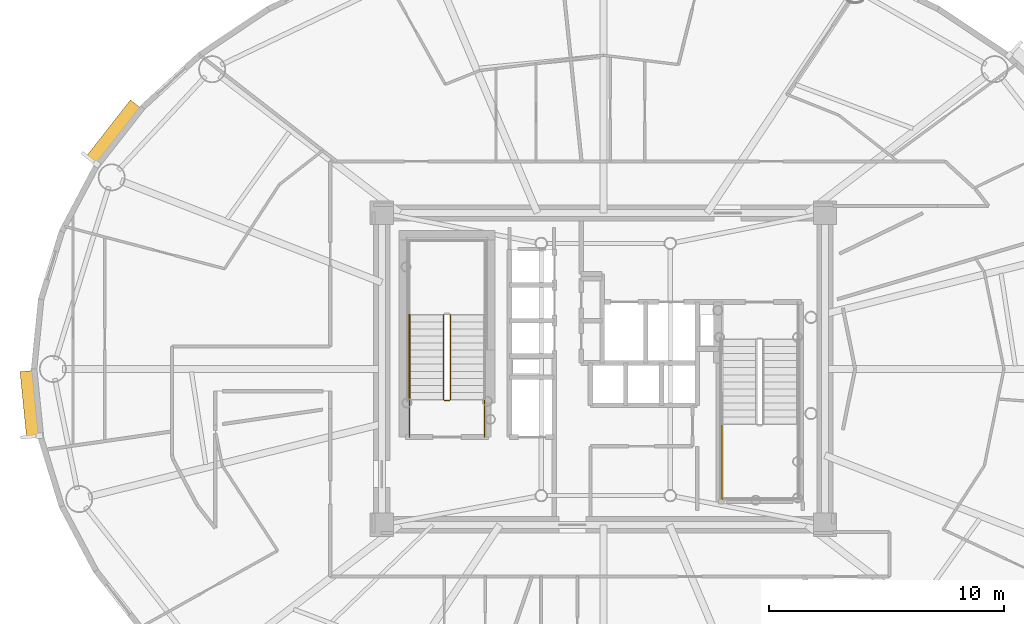
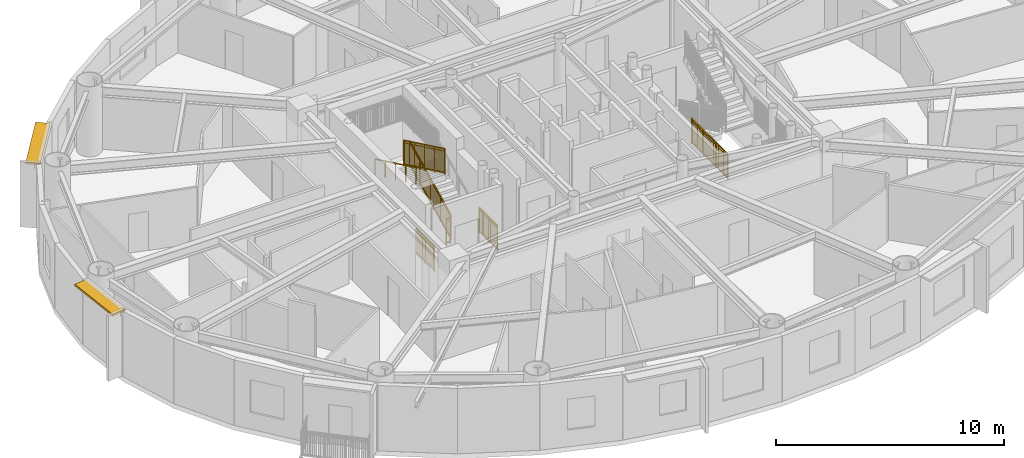
# One storey, part 13 of 18: 7 railings, 2 shading devices.
"""IFC4 building model written with IfcOpenShell, lengths in metres."""

from ifc_helpers import new_model, si_unit, direction, frame, origin, origin_2d, place, context, subcontext, project, spatial, rectangle, extrude, source, transform, mapped, material, layer, layer_set, type_object, element, save


model = new_model("IFC4")

# Units and contexts
model_context = context("Model", 3, precision=1e-05, world=origin(), true_north=direction((0.0, 1.0)))
body_context = subcontext(model_context, "Body", "Model", "MODEL_VIEW")
ifc_project = project(units=[si_unit("LENGTHUNIT", "METRE"), si_unit("AREAUNIT", "SQUARE_METRE"), si_unit("VOLUMEUNIT", "CUBIC_METRE"), si_unit("PLANEANGLEUNIT", "RADIAN"), si_unit("MASSUNIT", "GRAM", prefix="KILO")], contexts=[model_context])

# Site, building, storey
site_placement = place(None, origin())
site = spatial("IfcSite", under=ifc_project, at=site_placement, CompositionType="ELEMENT")
building_placement = place(site_placement, origin())
building = spatial("IfcBuilding", under=site, at=building_placement, Name="Linh Dai School and Residence Tower", CompositionType="ELEMENT")
storey_placement = place(building_placement, frame((0.0, 0.0, 240.300048828125)))
storey = spatial("IfcBuildingStorey", under=building, at=storey_placement, Name="L59", CompositionType="ELEMENT", Elevation=240.300048828125)

# Shading devices
ifc_material_1 = material(Name="Terracotta Ceramic Sunshade", Category="masonry")
ifc_layer = layer(ifc_material_1, 0.10009765625)
ifc_layer_set = layer_set([ifc_layer], Name="Terracotta Ceramic Sunshade")
shading_device_type = type_object("IfcShadingDeviceType", Name="SHD-TC-650", PredefinedType="USERDEFINED", material=ifc_layer_set)
shared_shape_1 = source(origin(), body_context, "Body", "SweptSolid", [
    extrude(rectangle(XDim=2.859619140625, YDim=0.64990234375, at=origin_2d()), origin(), (0.0, 0.0, 1.0), 0.10009765625),
])
shading_device_1_placement = place(storey_placement, frame((11.59033203125, 25.489501953125, 3.3798828125), z_axis=(0.0, 0.0, 1.0), x_axis=(-0.100012244219, 0.99498620644, 0.0)))
element("IfcShadingDevice", 1, at=shading_device_1_placement, inside=storey, type_object=shading_device_type, Name="L59 Terracotta Horizontal Sunshade Band 21", ObjectType="SUNSHADE", PredefinedType="USERDEFINED", context=body_context, shape_type="MappedRepresentation", body=[
    mapped(shared_shape_1, transform((0.0, 0.0, 0.0), x_axis=(1.0, 0.0, 0.0), y_axis=(0.0, 1.0, 0.0), z_axis=(0.0, 0.0, 1.0), scale=1.0)),
])
shared_shape_2 = source(origin(), body_context, "Body", "SweptSolid", [
    extrude(rectangle(XDim=3.095703125, YDim=0.64990234375, at=origin_2d()), origin(), (0.0, 0.0, 1.0), 0.10009765625),
])
shading_device_2_placement = place(storey_placement, frame((15.133544921875, 37.050537109375, 3.3798828125), z_axis=(0.0, 0.0, 1.0), x_axis=(0.616331674867, 0.787486677066, 0.0)))
element("IfcShadingDevice", 2, at=shading_device_2_placement, inside=storey, type_object=shading_device_type, Name="L59 Terracotta Horizontal Sunshade Band 17", ObjectType="SUNSHADE", PredefinedType="USERDEFINED", context=body_context, shape_type="MappedRepresentation", body=[
    mapped(shared_shape_2, transform((0.0, 0.0, 0.0), x_axis=(1.0, 0.0, 0.0), y_axis=(0.0, 1.0, 0.0), z_axis=(0.0, 0.0, 1.0), scale=1.0)),
])

# Railings
ifc_material_2 = material(Name="Structural Steel S355JR", Category="steel")
railing_type_1 = type_object("IfcRailingType", Name="RL-ST-GUARD-1400", PredefinedType="GUARDRAIL", material=ifc_material_2)
shared_shape_3 = source(origin(), body_context, "Body", "SweptSolid", [
    extrude(rectangle(XDim=0.048095703125, YDim=0.048095703125, at=origin_2d()), frame((0.0, 0.0, 1.3759765625), z_axis=(-1.0, 0.0, 0.0), x_axis=(0.0, -1.0, 0.0)), (0.0, 0.0, 1.0), 0.199951171875),
    extrude(rectangle(XDim=0.048095703125, YDim=0.048095703125, at=origin_2d()), frame((0.0, 0.0, 0.10009765625), z_axis=(-1.0, 0.0, 0.0), x_axis=(0.0, -1.0, 0.0)), (0.0, 0.0, 1.0), 0.199951171875),
    extrude(rectangle(XDim=0.030029296875, YDim=0.030029296875, at=origin_2d()), frame((0.0, 0.0, 1.239990234375), z_axis=(-1.0, 0.0, 0.0), x_axis=(0.0, -1.0, 0.0)), (0.0, 0.0, 1.0), 0.199951171875),
    extrude(rectangle(XDim=0.0419921875, YDim=0.0419921875, at=origin_2d()), origin(), (0.0, 0.0, 1.0), 1.3759765625),
    extrude(rectangle(XDim=0.0419921875, YDim=0.0419921875, at=origin_2d()), frame((-0.199951171875, 0.0, 0.0)), (0.0, 0.0, 1.0), 1.3759765625),
])
railing_1_placement = place(storey_placement, frame((29.429931640625, 25.64990234375, 0.0)))
element("IfcRailing", 3, at=railing_1_placement, inside=storey, type_object=railing_type_1, Name="L59 ST1 stair guard 7", PredefinedType="GUARDRAIL", context=body_context, shape_type="MappedRepresentation", body=[
    mapped(shared_shape_3, transform((0.0, 0.0, 0.0), x_axis=(1.0, 0.0, 0.0), y_axis=(0.0, 1.0, 0.0), z_axis=(0.0, 0.0, 1.0), scale=1.0)),
])
shared_shape_4 = source(origin(), body_context, "Body", "SweptSolid", [
    extrude(rectangle(XDim=0.048095703125, YDim=0.048095703125, at=origin_2d()), frame((0.0, 0.0, 1.3759765625), z_axis=(0.0, 1.0, 0.0), x_axis=(-1.0, 0.0, 0.0)), (0.0, 0.0, 1.0), 1.599853515625),
    extrude(rectangle(XDim=0.048095703125, YDim=0.048095703125, at=origin_2d()), frame((0.0, 0.0, 0.10009765625), z_axis=(0.0, 1.0, 0.0), x_axis=(-1.0, 0.0, 0.0)), (0.0, 0.0, 1.0), 1.599853515625),
    extrude(rectangle(XDim=0.030029296875, YDim=0.030029296875, at=origin_2d()), frame((0.0, 0.0, 1.239990234375), z_axis=(0.0, 1.0, 0.0), x_axis=(-1.0, 0.0, 0.0)), (0.0, 0.0, 1.0), 1.599853515625),
    extrude(rectangle(XDim=0.02001953125, YDim=0.02001953125, at=origin_2d()), frame((0.0, 0.093994140625, 0.10009765625)), (0.0, 0.0, 1.0), 1.251708984375),
    extrude(rectangle(XDim=0.02001953125, YDim=0.02001953125, at=origin_2d()), frame((0.0, 0.188232421875, 0.10009765625)), (0.0, 0.0, 1.0), 1.251708984375),
    extrude(rectangle(XDim=0.02001953125, YDim=0.02001953125, at=origin_2d()), frame((0.0, 0.2822265625, 0.10009765625)), (0.0, 0.0, 1.0), 1.251708984375),
    extrude(rectangle(XDim=0.02001953125, YDim=0.02001953125, at=origin_2d()), frame((0.0, 0.37646484375, 0.10009765625)), (0.0, 0.0, 1.0), 1.251708984375),
    extrude(rectangle(XDim=0.02001953125, YDim=0.02001953125, at=origin_2d()), frame((0.0, 0.470458984375, 0.10009765625)), (0.0, 0.0, 1.0), 1.251708984375),
    extrude(rectangle(XDim=0.02001953125, YDim=0.02001953125, at=origin_2d()), frame((0.0, 0.564697265625, 0.10009765625)), (0.0, 0.0, 1.0), 1.251708984375),
    extrude(rectangle(XDim=0.02001953125, YDim=0.02001953125, at=origin_2d()), frame((0.0, 0.65869140625, 0.10009765625)), (0.0, 0.0, 1.0), 1.251708984375),
    extrude(rectangle(XDim=0.02001953125, YDim=0.02001953125, at=origin_2d()), frame((0.0, 0.7529296875, 0.10009765625)), (0.0, 0.0, 1.0), 1.251708984375),
    extrude(rectangle(XDim=0.02001953125, YDim=0.02001953125, at=origin_2d()), frame((0.0, 0.846923828125, 0.10009765625)), (0.0, 0.0, 1.0), 1.251708984375),
    extrude(rectangle(XDim=0.02001953125, YDim=0.02001953125, at=origin_2d()), frame((0.0, 0.941162109375, 0.10009765625)), (0.0, 0.0, 1.0), 1.251708984375),
    extrude(rectangle(XDim=0.02001953125, YDim=0.02001953125, at=origin_2d()), frame((0.0, 1.03515625, 0.10009765625)), (0.0, 0.0, 1.0), 1.251708984375),
    extrude(rectangle(XDim=0.02001953125, YDim=0.02001953125, at=origin_2d()), frame((0.0, 1.12939453125, 0.10009765625)), (0.0, 0.0, 1.0), 1.251708984375),
    extrude(rectangle(XDim=0.02001953125, YDim=0.02001953125, at=origin_2d()), frame((0.0, 1.223388671875, 0.10009765625)), (0.0, 0.0, 1.0), 1.251708984375),
    extrude(rectangle(XDim=0.02001953125, YDim=0.02001953125, at=origin_2d()), frame((0.0, 1.317626953125, 0.10009765625)), (0.0, 0.0, 1.0), 1.251708984375),
    extrude(rectangle(XDim=0.02001953125, YDim=0.02001953125, at=origin_2d()), frame((0.0, 1.41162109375, 0.10009765625)), (0.0, 0.0, 1.0), 1.251708984375),
    extrude(rectangle(XDim=0.02001953125, YDim=0.02001953125, at=origin_2d()), frame((0.0, 1.505859375, 0.10009765625)), (0.0, 0.0, 1.0), 1.251708984375),
    extrude(rectangle(XDim=0.0419921875, YDim=0.0419921875, at=origin_2d()), origin(), (0.0, 0.0, 1.0), 1.3759765625),
    extrude(rectangle(XDim=0.0419921875, YDim=0.0419921875, at=origin_2d()), frame((0.0, 0.7998046875, 0.0)), (0.0, 0.0, 1.0), 1.3759765625),
    extrude(rectangle(XDim=0.0419921875, YDim=0.0419921875, at=origin_2d()), frame((0.0, 1.599853515625, 0.0)), (0.0, 0.0, 1.0), 1.3759765625),
])
for number, where, name in (
    (4, (30.929931640625, 24.10009765625, 0.0), "L59 ST1 stair guard 8"),
    (5, (27.72998046875, 24.10009765625, 0.0), "L59 ST1 stair guard 9"),
):
    element("IfcRailing", number, at=place(storey_placement, frame(where)), inside=storey, type_object=railing_type_1, Name=name, PredefinedType="GUARDRAIL", context=body_context, shape_type="MappedRepresentation", body=[
        mapped(shared_shape_4, transform((0.0, 0.0, 0.0), x_axis=(1.0, 0.0, 0.0), y_axis=(0.0, 1.0, 0.0), z_axis=(0.0, 0.0, 1.0), scale=1.0)),
    ])
shared_shape_5 = source(origin(), body_context, "Body", "SweptSolid", [
    extrude(rectangle(XDim=0.048095703125, YDim=0.048095703125, at=origin_2d()), frame((0.0, 0.0, 1.3759765625), z_axis=(0.0, 0.901262522062, 0.433273431364), x_axis=(-1.0, 0.0, 0.0)), (0.0, 0.0, 1.0), 3.994384765625),
    extrude(rectangle(XDim=0.048095703125, YDim=0.048095703125, at=origin_2d()), frame((0.0, 0.0, 0.10009765625), z_axis=(0.0, 0.901262522062, 0.433273431364), x_axis=(-1.0, 0.0, 0.0)), (0.0, 0.0, 1.0), 3.994384765625),
    extrude(rectangle(XDim=0.030029296875, YDim=0.030029296875, at=origin_2d()), frame((0.0, 0.0, 1.239990234375), z_axis=(0.0, 0.901262522062, 0.433273431364), x_axis=(-1.0, 0.0, 0.0)), (0.0, 0.0, 1.0), 3.994384765625),
    extrude(rectangle(XDim=0.02001953125, YDim=0.02001953125, at=origin_2d()), frame((0.0, 0.087890625, 0.142333984375)), (0.0, 0.0, 1.0), 1.251708984375),
    extrude(rectangle(XDim=0.02001953125, YDim=0.02001953125, at=origin_2d()), frame((0.0, 0.175537109375, 0.1845703125)), (0.0, 0.0, 1.0), 1.251708984375),
    extrude(rectangle(XDim=0.02001953125, YDim=0.02001953125, at=origin_2d()), frame((0.0, 0.263427734375, 0.226806640625)), (0.0, 0.0, 1.0), 1.251708984375),
    extrude(rectangle(XDim=0.02001953125, YDim=0.02001953125, at=origin_2d()), frame((0.0, 0.351318359375, 0.26904296875)), (0.0, 0.0, 1.0), 1.251708984375),
    extrude(rectangle(XDim=0.02001953125, YDim=0.02001953125, at=origin_2d()), frame((0.0, 0.43896484375, 0.311279296875)), (0.0, 0.0, 1.0), 1.251708984375),
    extrude(rectangle(XDim=0.02001953125, YDim=0.02001953125, at=origin_2d()), frame((0.0, 0.52685546875, 0.353271484375)), (0.0, 0.0, 1.0), 1.251708984375),
    extrude(rectangle(XDim=0.02001953125, YDim=0.02001953125, at=origin_2d()), frame((0.0, 0.61474609375, 0.3955078125)), (0.0, 0.0, 1.0), 1.251708984375),
    extrude(rectangle(XDim=0.02001953125, YDim=0.02001953125, at=origin_2d()), frame((0.0, 0.702392578125, 0.437744140625)), (0.0, 0.0, 1.0), 1.251708984375),
    extrude(rectangle(XDim=0.02001953125, YDim=0.02001953125, at=origin_2d()), frame((0.0, 0.790283203125, 0.47998046875)), (0.0, 0.0, 1.0), 1.251708984375),
    extrude(rectangle(XDim=0.02001953125, YDim=0.02001953125, at=origin_2d()), frame((0.0, 0.9658203125, 0.564453125)), (0.0, 0.0, 1.0), 1.251708984375),
    extrude(rectangle(XDim=0.02001953125, YDim=0.02001953125, at=origin_2d()), frame((0.0, 1.0537109375, 0.606689453125)), (0.0, 0.0, 1.0), 1.251708984375),
    extrude(rectangle(XDim=0.02001953125, YDim=0.02001953125, at=origin_2d()), frame((0.0, 1.1416015625, 0.64892578125)), (0.0, 0.0, 1.0), 1.251708984375),
    extrude(rectangle(XDim=0.02001953125, YDim=0.02001953125, at=origin_2d()), frame((0.0, 1.229248046875, 0.691162109375)), (0.0, 0.0, 1.0), 1.251708984375),
    extrude(rectangle(XDim=0.02001953125, YDim=0.02001953125, at=origin_2d()), frame((0.0, 1.317138671875, 0.7333984375)), (0.0, 0.0, 1.0), 1.251708984375),
    extrude(rectangle(XDim=0.02001953125, YDim=0.02001953125, at=origin_2d()), frame((0.0, 1.405029296875, 0.775390625)), (0.0, 0.0, 1.0), 1.251708984375),
    extrude(rectangle(XDim=0.02001953125, YDim=0.02001953125, at=origin_2d()), frame((0.0, 1.49267578125, 0.817626953125)), (0.0, 0.0, 1.0), 1.251708984375),
    extrude(rectangle(XDim=0.02001953125, YDim=0.02001953125, at=origin_2d()), frame((0.0, 1.58056640625, 0.85986328125)), (0.0, 0.0, 1.0), 1.251708984375),
    extrude(rectangle(XDim=0.02001953125, YDim=0.02001953125, at=origin_2d()), frame((0.0, 1.66845703125, 0.902099609375)), (0.0, 0.0, 1.0), 1.251708984375),
    extrude(rectangle(XDim=0.02001953125, YDim=0.02001953125, at=origin_2d()), frame((0.0, 1.756103515625, 0.9443359375)), (0.0, 0.0, 1.0), 1.251708984375),
    extrude(rectangle(XDim=0.02001953125, YDim=0.02001953125, at=origin_2d()), frame((0.0, 1.843994140625, 0.986572265625)), (0.0, 0.0, 1.0), 1.251708984375),
    extrude(rectangle(XDim=0.02001953125, YDim=0.02001953125, at=origin_2d()), frame((0.0, 1.931640625, 1.02880859375)), (0.0, 0.0, 1.0), 1.251708984375),
    extrude(rectangle(XDim=0.02001953125, YDim=0.02001953125, at=origin_2d()), frame((0.0, 2.01953125, 1.071044921875)), (0.0, 0.0, 1.0), 1.251708984375),
    extrude(rectangle(XDim=0.02001953125, YDim=0.02001953125, at=origin_2d()), frame((0.0, 2.107421875, 1.11328125)), (0.0, 0.0, 1.0), 1.251708984375),
    extrude(rectangle(XDim=0.02001953125, YDim=0.02001953125, at=origin_2d()), frame((0.0, 2.195068359375, 1.155517578125)), (0.0, 0.0, 1.0), 1.251708984375),
    extrude(rectangle(XDim=0.02001953125, YDim=0.02001953125, at=origin_2d()), frame((0.0, 2.282958984375, 1.197509765625)), (0.0, 0.0, 1.0), 1.251708984375),
    extrude(rectangle(XDim=0.02001953125, YDim=0.02001953125, at=origin_2d()), frame((0.0, 2.370849609375, 1.23974609375)), (0.0, 0.0, 1.0), 1.251708984375),
    extrude(rectangle(XDim=0.02001953125, YDim=0.02001953125, at=origin_2d()), frame((0.0, 2.45849609375, 1.281982421875)), (0.0, 0.0, 1.0), 1.251708984375),
    extrude(rectangle(XDim=0.02001953125, YDim=0.02001953125, at=origin_2d()), frame((0.0, 2.54638671875, 1.32421875)), (0.0, 0.0, 1.0), 1.251708984375),
    extrude(rectangle(XDim=0.02001953125, YDim=0.02001953125, at=origin_2d()), frame((0.0, 2.63427734375, 1.366455078125)), (0.0, 0.0, 1.0), 1.251708984375),
    extrude(rectangle(XDim=0.02001953125, YDim=0.02001953125, at=origin_2d()), frame((0.0, 2.809814453125, 1.450927734375)), (0.0, 0.0, 1.0), 1.251708984375),
    extrude(rectangle(XDim=0.02001953125, YDim=0.02001953125, at=origin_2d()), frame((0.0, 2.897705078125, 1.4931640625)), (0.0, 0.0, 1.0), 1.251708984375),
    extrude(rectangle(XDim=0.02001953125, YDim=0.02001953125, at=origin_2d()), frame((0.0, 2.9853515625, 1.535400390625)), (0.0, 0.0, 1.0), 1.251708984375),
    extrude(rectangle(XDim=0.02001953125, YDim=0.02001953125, at=origin_2d()), frame((0.0, 3.0732421875, 1.57763671875)), (0.0, 0.0, 1.0), 1.251708984375),
    extrude(rectangle(XDim=0.02001953125, YDim=0.02001953125, at=origin_2d()), frame((0.0, 3.1611328125, 1.61962890625)), (0.0, 0.0, 1.0), 1.251708984375),
    extrude(rectangle(XDim=0.02001953125, YDim=0.02001953125, at=origin_2d()), frame((0.0, 3.248779296875, 1.661865234375)), (0.0, 0.0, 1.0), 1.251708984375),
    extrude(rectangle(XDim=0.02001953125, YDim=0.02001953125, at=origin_2d()), frame((0.0, 3.336669921875, 1.7041015625)), (0.0, 0.0, 1.0), 1.251708984375),
    extrude(rectangle(XDim=0.02001953125, YDim=0.02001953125, at=origin_2d()), frame((0.0, 3.424560546875, 1.746337890625)), (0.0, 0.0, 1.0), 1.251708984375),
    extrude(rectangle(XDim=0.02001953125, YDim=0.02001953125, at=origin_2d()), frame((0.0, 3.51220703125, 1.78857421875)), (0.0, 0.0, 1.0), 1.251708984375),
    extrude(rectangle(XDim=0.0419921875, YDim=0.0419921875, at=origin_2d()), origin(), (0.0, 0.0, 1.0), 1.3759765625),
    extrude(rectangle(XDim=0.0419921875, YDim=0.0419921875, at=origin_2d()), frame((0.0, 0.89990234375, 0.4326171875)), (0.0, 0.0, 1.0), 1.3759765625),
    extrude(rectangle(XDim=0.0419921875, YDim=0.0419921875, at=origin_2d()), frame((0.0, 1.800048828125, 0.865234375)), (0.0, 0.0, 1.0), 1.3759765625),
    extrude(rectangle(XDim=0.0419921875, YDim=0.0419921875, at=origin_2d()), frame((0.0, 2.7001953125, 1.298095703125)), (0.0, 0.0, 1.0), 1.3759765625),
    extrude(rectangle(XDim=0.0419921875, YDim=0.0419921875, at=origin_2d()), frame((0.0, 3.60009765625, 1.730712890625)), (0.0, 0.0, 1.0), 1.3759765625),
])
railing_2_placement = place(storey_placement, frame((29.47998046875, 25.699951171875, 0.144287109375)))
element("IfcRailing", 6, at=railing_2_placement, inside=storey, type_object=railing_type_1, Name="L59 ST1 stair guard 1", PredefinedType="GUARDRAIL", context=body_context, shape_type="MappedRepresentation", body=[
    mapped(shared_shape_5, transform((0.0, 0.0, 0.0), x_axis=(1.0, 0.0, 0.0), y_axis=(0.0, 1.0, 0.0), z_axis=(0.0, 0.0, 1.0), scale=1.0)),
])
shared_shape_6 = source(origin(), body_context, "Body", "SweptSolid", [
    extrude(rectangle(XDim=0.048095703125, YDim=0.048095703125, at=origin_2d()), frame((0.0, 0.0, 1.3759765625), z_axis=(0.0, -0.901262522062, 0.433273431364), x_axis=(1.0, 0.0, 0.0)), (0.0, 0.0, 1.0), 3.994384765625),
    extrude(rectangle(XDim=0.048095703125, YDim=0.048095703125, at=origin_2d()), frame((0.0, 0.0, 0.10009765625), z_axis=(0.0, -0.901262522062, 0.433273431364), x_axis=(1.0, 0.0, 0.0)), (0.0, 0.0, 1.0), 3.994384765625),
    extrude(rectangle(XDim=0.030029296875, YDim=0.030029296875, at=origin_2d()), frame((0.0, 0.0, 1.239990234375), z_axis=(0.0, -0.901262522062, 0.433273431364), x_axis=(1.0, 0.0, 0.0)), (0.0, 0.0, 1.0), 3.994384765625),
    extrude(rectangle(XDim=0.02001953125, YDim=0.02001953125, at=origin_2d()), frame((0.0, -0.087890625, 0.142333984375)), (0.0, 0.0, 1.0), 1.251708984375),
    extrude(rectangle(XDim=0.02001953125, YDim=0.02001953125, at=origin_2d()), frame((0.0, -0.175537109375, 0.1845703125)), (0.0, 0.0, 1.0), 1.251708984375),
    extrude(rectangle(XDim=0.02001953125, YDim=0.02001953125, at=origin_2d()), frame((0.0, -0.263427734375, 0.226806640625)), (0.0, 0.0, 1.0), 1.251708984375),
    extrude(rectangle(XDim=0.02001953125, YDim=0.02001953125, at=origin_2d()), frame((0.0, -0.351318359375, 0.26904296875)), (0.0, 0.0, 1.0), 1.251708984375),
    extrude(rectangle(XDim=0.02001953125, YDim=0.02001953125, at=origin_2d()), frame((0.0, -0.43896484375, 0.311279296875)), (0.0, 0.0, 1.0), 1.251708984375),
    extrude(rectangle(XDim=0.02001953125, YDim=0.02001953125, at=origin_2d()), frame((0.0, -0.52685546875, 0.353271484375)), (0.0, 0.0, 1.0), 1.251708984375),
    extrude(rectangle(XDim=0.02001953125, YDim=0.02001953125, at=origin_2d()), frame((0.0, -0.61474609375, 0.3955078125)), (0.0, 0.0, 1.0), 1.251708984375),
    extrude(rectangle(XDim=0.02001953125, YDim=0.02001953125, at=origin_2d()), frame((0.0, -0.702392578125, 0.437744140625)), (0.0, 0.0, 1.0), 1.251708984375),
    extrude(rectangle(XDim=0.02001953125, YDim=0.02001953125, at=origin_2d()), frame((0.0, -0.790283203125, 0.47998046875)), (0.0, 0.0, 1.0), 1.251708984375),
    extrude(rectangle(XDim=0.02001953125, YDim=0.02001953125, at=origin_2d()), frame((0.0, -0.9658203125, 0.564453125)), (0.0, 0.0, 1.0), 1.251708984375),
    extrude(rectangle(XDim=0.02001953125, YDim=0.02001953125, at=origin_2d()), frame((0.0, -1.0537109375, 0.606689453125)), (0.0, 0.0, 1.0), 1.251708984375),
    extrude(rectangle(XDim=0.02001953125, YDim=0.02001953125, at=origin_2d()), frame((0.0, -1.1416015625, 0.64892578125)), (0.0, 0.0, 1.0), 1.251708984375),
    extrude(rectangle(XDim=0.02001953125, YDim=0.02001953125, at=origin_2d()), frame((0.0, -1.229248046875, 0.691162109375)), (0.0, 0.0, 1.0), 1.251708984375),
    extrude(rectangle(XDim=0.02001953125, YDim=0.02001953125, at=origin_2d()), frame((0.0, -1.317138671875, 0.7333984375)), (0.0, 0.0, 1.0), 1.251708984375),
    extrude(rectangle(XDim=0.02001953125, YDim=0.02001953125, at=origin_2d()), frame((0.0, -1.405029296875, 0.775390625)), (0.0, 0.0, 1.0), 1.251708984375),
    extrude(rectangle(XDim=0.02001953125, YDim=0.02001953125, at=origin_2d()), frame((0.0, -1.49267578125, 0.817626953125)), (0.0, 0.0, 1.0), 1.251708984375),
    extrude(rectangle(XDim=0.02001953125, YDim=0.02001953125, at=origin_2d()), frame((0.0, -1.58056640625, 0.85986328125)), (0.0, 0.0, 1.0), 1.251708984375),
    extrude(rectangle(XDim=0.02001953125, YDim=0.02001953125, at=origin_2d()), frame((0.0, -1.66845703125, 0.902099609375)), (0.0, 0.0, 1.0), 1.251708984375),
    extrude(rectangle(XDim=0.02001953125, YDim=0.02001953125, at=origin_2d()), frame((0.0, -1.756103515625, 0.9443359375)), (0.0, 0.0, 1.0), 1.251708984375),
    extrude(rectangle(XDim=0.02001953125, YDim=0.02001953125, at=origin_2d()), frame((0.0, -1.843994140625, 0.986572265625)), (0.0, 0.0, 1.0), 1.251708984375),
    extrude(rectangle(XDim=0.02001953125, YDim=0.02001953125, at=origin_2d()), frame((0.0, -1.931640625, 1.02880859375)), (0.0, 0.0, 1.0), 1.251708984375),
    extrude(rectangle(XDim=0.02001953125, YDim=0.02001953125, at=origin_2d()), frame((0.0, -2.01953125, 1.071044921875)), (0.0, 0.0, 1.0), 1.251708984375),
    extrude(rectangle(XDim=0.02001953125, YDim=0.02001953125, at=origin_2d()), frame((0.0, -2.107421875, 1.11328125)), (0.0, 0.0, 1.0), 1.251708984375),
    extrude(rectangle(XDim=0.02001953125, YDim=0.02001953125, at=origin_2d()), frame((0.0, -2.195068359375, 1.155517578125)), (0.0, 0.0, 1.0), 1.251708984375),
    extrude(rectangle(XDim=0.02001953125, YDim=0.02001953125, at=origin_2d()), frame((0.0, -2.282958984375, 1.197509765625)), (0.0, 0.0, 1.0), 1.251708984375),
    extrude(rectangle(XDim=0.02001953125, YDim=0.02001953125, at=origin_2d()), frame((0.0, -2.370849609375, 1.23974609375)), (0.0, 0.0, 1.0), 1.251708984375),
    extrude(rectangle(XDim=0.02001953125, YDim=0.02001953125, at=origin_2d()), frame((0.0, -2.45849609375, 1.281982421875)), (0.0, 0.0, 1.0), 1.251708984375),
    extrude(rectangle(XDim=0.02001953125, YDim=0.02001953125, at=origin_2d()), frame((0.0, -2.54638671875, 1.32421875)), (0.0, 0.0, 1.0), 1.251708984375),
    extrude(rectangle(XDim=0.02001953125, YDim=0.02001953125, at=origin_2d()), frame((0.0, -2.63427734375, 1.366455078125)), (0.0, 0.0, 1.0), 1.251708984375),
    extrude(rectangle(XDim=0.02001953125, YDim=0.02001953125, at=origin_2d()), frame((0.0, -2.809814453125, 1.450927734375)), (0.0, 0.0, 1.0), 1.251708984375),
    extrude(rectangle(XDim=0.02001953125, YDim=0.02001953125, at=origin_2d()), frame((0.0, -2.897705078125, 1.4931640625)), (0.0, 0.0, 1.0), 1.251708984375),
    extrude(rectangle(XDim=0.02001953125, YDim=0.02001953125, at=origin_2d()), frame((0.0, -2.9853515625, 1.535400390625)), (0.0, 0.0, 1.0), 1.251708984375),
    extrude(rectangle(XDim=0.02001953125, YDim=0.02001953125, at=origin_2d()), frame((0.0, -3.0732421875, 1.57763671875)), (0.0, 0.0, 1.0), 1.251708984375),
    extrude(rectangle(XDim=0.02001953125, YDim=0.02001953125, at=origin_2d()), frame((0.0, -3.1611328125, 1.61962890625)), (0.0, 0.0, 1.0), 1.251708984375),
    extrude(rectangle(XDim=0.02001953125, YDim=0.02001953125, at=origin_2d()), frame((0.0, -3.248779296875, 1.661865234375)), (0.0, 0.0, 1.0), 1.251708984375),
    extrude(rectangle(XDim=0.02001953125, YDim=0.02001953125, at=origin_2d()), frame((0.0, -3.336669921875, 1.7041015625)), (0.0, 0.0, 1.0), 1.251708984375),
    extrude(rectangle(XDim=0.02001953125, YDim=0.02001953125, at=origin_2d()), frame((0.0, -3.424560546875, 1.746337890625)), (0.0, 0.0, 1.0), 1.251708984375),
    extrude(rectangle(XDim=0.02001953125, YDim=0.02001953125, at=origin_2d()), frame((0.0, -3.51220703125, 1.78857421875)), (0.0, 0.0, 1.0), 1.251708984375),
    extrude(rectangle(XDim=0.0419921875, YDim=0.0419921875, at=origin_2d()), origin(), (0.0, 0.0, 1.0), 1.3759765625),
    extrude(rectangle(XDim=0.0419921875, YDim=0.0419921875, at=origin_2d()), frame((0.0, -0.89990234375, 0.4326171875)), (0.0, 0.0, 1.0), 1.3759765625),
    extrude(rectangle(XDim=0.0419921875, YDim=0.0419921875, at=origin_2d()), frame((0.0, -1.800048828125, 0.865234375)), (0.0, 0.0, 1.0), 1.3759765625),
    extrude(rectangle(XDim=0.0419921875, YDim=0.0419921875, at=origin_2d()), frame((0.0, -2.7001953125, 1.298095703125)), (0.0, 0.0, 1.0), 1.3759765625),
    extrude(rectangle(XDim=0.0419921875, YDim=0.0419921875, at=origin_2d()), frame((0.0, -3.60009765625, 1.730712890625)), (0.0, 0.0, 1.0), 1.3759765625),
])
railing_3_placement = place(storey_placement, frame((29.179931640625, 29.300048828125, 2.019287109375)))
element("IfcRailing", 7, at=railing_3_placement, inside=storey, type_object=railing_type_1, Name="L59 ST1 stair guard 6", PredefinedType="GUARDRAIL", context=body_context, shape_type="MappedRepresentation", body=[
    mapped(shared_shape_6, transform((0.0, 0.0, 0.0), x_axis=(1.0, 0.0, 0.0), y_axis=(0.0, 1.0, 0.0), z_axis=(0.0, 0.0, 1.0), scale=1.0)),
])
ifc_material_3 = material(Name="Brushed Stainless Steel Handrail", Category="steel")
railing_type_2 = type_object("IfcRailingType", Name="RL-ST-HANDRAIL-900", PredefinedType="HANDRAIL", material=ifc_material_3)
shared_shape_7 = source(origin(), body_context, "Body", "SweptSolid", [
    extrude(rectangle(XDim=0.048095703125, YDim=0.048095703125, at=origin_2d()), frame((0.0, 0.0, 0.8759765625), z_axis=(0.0, -0.901262522062, 0.433273431364), x_axis=(1.0, 0.0, 0.0)), (0.0, 0.0, 1.0), 3.994384765625),
    extrude(rectangle(XDim=0.0419921875, YDim=0.0419921875, at=origin_2d()), origin(), (0.0, 0.0, 1.0), 0.8759765625),
    extrude(rectangle(XDim=0.0419921875, YDim=0.0419921875, at=origin_2d()), frame((0.0, -0.89990234375, 0.4326171875)), (0.0, 0.0, 1.0), 0.8759765625),
    extrude(rectangle(XDim=0.0419921875, YDim=0.0419921875, at=origin_2d()), frame((0.0, -1.800048828125, 0.865234375)), (0.0, 0.0, 1.0), 0.8759765625),
    extrude(rectangle(XDim=0.0419921875, YDim=0.0419921875, at=origin_2d()), frame((0.0, -2.7001953125, 1.298095703125)), (0.0, 0.0, 1.0), 0.8759765625),
    extrude(rectangle(XDim=0.0419921875, YDim=0.0419921875, at=origin_2d()), frame((0.0, -3.60009765625, 1.730712890625)), (0.0, 0.0, 1.0), 0.8759765625),
])
railing_4_placement = place(storey_placement, frame((27.72998046875, 29.300048828125, 2.019287109375)))
element("IfcRailing", 8, at=railing_4_placement, inside=storey, type_object=railing_type_2, Name="L59 ST1 stair handrail 2", PredefinedType="HANDRAIL", context=body_context, shape_type="MappedRepresentation", body=[
    mapped(shared_shape_7, transform((0.0, 0.0, 0.0), x_axis=(1.0, 0.0, 0.0), y_axis=(0.0, 1.0, 0.0), z_axis=(0.0, 0.0, 1.0), scale=1.0)),
])
shared_shape_8 = source(origin(), body_context, "Body", "SweptSolid", [
    extrude(rectangle(XDim=0.048095703125, YDim=0.048095703125, at=origin_2d()), frame((0.0, 0.0, 1.3759765625), z_axis=(0.0, -1.0, 0.0), x_axis=(1.0, 0.0, 0.0)), (0.0, 0.0, 1.0), 3.199951171875),
    extrude(rectangle(XDim=0.048095703125, YDim=0.048095703125, at=origin_2d()), frame((0.0, 0.0, 0.10009765625), z_axis=(0.0, -1.0, 0.0), x_axis=(1.0, 0.0, 0.0)), (0.0, 0.0, 1.0), 3.199951171875),
    extrude(rectangle(XDim=0.030029296875, YDim=0.030029296875, at=origin_2d()), frame((0.0, 0.0, 1.239990234375), z_axis=(0.0, -1.0, 0.0), x_axis=(1.0, 0.0, 0.0)), (0.0, 0.0, 1.0), 3.199951171875),
    extrude(rectangle(XDim=0.02001953125, YDim=0.02001953125, at=origin_2d()), frame((0.0, -0.096923828125, 0.10009765625)), (0.0, 0.0, 1.0), 1.251708984375),
    extrude(rectangle(XDim=0.02001953125, YDim=0.02001953125, at=origin_2d()), frame((0.0, -0.19384765625, 0.10009765625)), (0.0, 0.0, 1.0), 1.251708984375),
    extrude(rectangle(XDim=0.02001953125, YDim=0.02001953125, at=origin_2d()), frame((0.0, -0.291015625, 0.10009765625)), (0.0, 0.0, 1.0), 1.251708984375),
    extrude(rectangle(XDim=0.02001953125, YDim=0.02001953125, at=origin_2d()), frame((0.0, -0.387939453125, 0.10009765625)), (0.0, 0.0, 1.0), 1.251708984375),
    extrude(rectangle(XDim=0.02001953125, YDim=0.02001953125, at=origin_2d()), frame((0.0, -0.48486328125, 0.10009765625)), (0.0, 0.0, 1.0), 1.251708984375),
    extrude(rectangle(XDim=0.02001953125, YDim=0.02001953125, at=origin_2d()), frame((0.0, -0.581787109375, 0.10009765625)), (0.0, 0.0, 1.0), 1.251708984375),
    extrude(rectangle(XDim=0.02001953125, YDim=0.02001953125, at=origin_2d()), frame((0.0, -0.6787109375, 0.10009765625)), (0.0, 0.0, 1.0), 1.251708984375),
    extrude(rectangle(XDim=0.02001953125, YDim=0.02001953125, at=origin_2d()), frame((0.0, -0.775634765625, 0.10009765625)), (0.0, 0.0, 1.0), 1.251708984375),
    extrude(rectangle(XDim=0.02001953125, YDim=0.02001953125, at=origin_2d()), frame((0.0, -0.872802734375, 0.10009765625)), (0.0, 0.0, 1.0), 1.251708984375),
    extrude(rectangle(XDim=0.02001953125, YDim=0.02001953125, at=origin_2d()), frame((0.0, -0.9697265625, 0.10009765625)), (0.0, 0.0, 1.0), 1.251708984375),
    extrude(rectangle(XDim=0.02001953125, YDim=0.02001953125, at=origin_2d()), frame((0.0, -1.16357421875, 0.10009765625)), (0.0, 0.0, 1.0), 1.251708984375),
    extrude(rectangle(XDim=0.02001953125, YDim=0.02001953125, at=origin_2d()), frame((0.0, -1.260498046875, 0.10009765625)), (0.0, 0.0, 1.0), 1.251708984375),
    extrude(rectangle(XDim=0.02001953125, YDim=0.02001953125, at=origin_2d()), frame((0.0, -1.357666015625, 0.10009765625)), (0.0, 0.0, 1.0), 1.251708984375),
    extrude(rectangle(XDim=0.02001953125, YDim=0.02001953125, at=origin_2d()), frame((0.0, -1.45458984375, 0.10009765625)), (0.0, 0.0, 1.0), 1.251708984375),
    extrude(rectangle(XDim=0.02001953125, YDim=0.02001953125, at=origin_2d()), frame((0.0, -1.551513671875, 0.10009765625)), (0.0, 0.0, 1.0), 1.251708984375),
    extrude(rectangle(XDim=0.02001953125, YDim=0.02001953125, at=origin_2d()), frame((0.0, -1.6484375, 0.10009765625)), (0.0, 0.0, 1.0), 1.251708984375),
    extrude(rectangle(XDim=0.02001953125, YDim=0.02001953125, at=origin_2d()), frame((0.0, -1.745361328125, 0.10009765625)), (0.0, 0.0, 1.0), 1.251708984375),
    extrude(rectangle(XDim=0.02001953125, YDim=0.02001953125, at=origin_2d()), frame((0.0, -1.84228515625, 0.10009765625)), (0.0, 0.0, 1.0), 1.251708984375),
    extrude(rectangle(XDim=0.02001953125, YDim=0.02001953125, at=origin_2d()), frame((0.0, -1.939453125, 0.10009765625)), (0.0, 0.0, 1.0), 1.251708984375),
    extrude(rectangle(XDim=0.02001953125, YDim=0.02001953125, at=origin_2d()), frame((0.0, -2.036376953125, 0.10009765625)), (0.0, 0.0, 1.0), 1.251708984375),
    extrude(rectangle(XDim=0.02001953125, YDim=0.02001953125, at=origin_2d()), frame((0.0, -2.230224609375, 0.10009765625)), (0.0, 0.0, 1.0), 1.251708984375),
    extrude(rectangle(XDim=0.02001953125, YDim=0.02001953125, at=origin_2d()), frame((0.0, -2.3271484375, 0.10009765625)), (0.0, 0.0, 1.0), 1.251708984375),
    extrude(rectangle(XDim=0.02001953125, YDim=0.02001953125, at=origin_2d()), frame((0.0, -2.42431640625, 0.10009765625)), (0.0, 0.0, 1.0), 1.251708984375),
    extrude(rectangle(XDim=0.02001953125, YDim=0.02001953125, at=origin_2d()), frame((0.0, -2.521240234375, 0.10009765625)), (0.0, 0.0, 1.0), 1.251708984375),
    extrude(rectangle(XDim=0.02001953125, YDim=0.02001953125, at=origin_2d()), frame((0.0, -2.6181640625, 0.10009765625)), (0.0, 0.0, 1.0), 1.251708984375),
    extrude(rectangle(XDim=0.02001953125, YDim=0.02001953125, at=origin_2d()), frame((0.0, -2.715087890625, 0.10009765625)), (0.0, 0.0, 1.0), 1.251708984375),
    extrude(rectangle(XDim=0.02001953125, YDim=0.02001953125, at=origin_2d()), frame((0.0, -2.81201171875, 0.10009765625)), (0.0, 0.0, 1.0), 1.251708984375),
    extrude(rectangle(XDim=0.02001953125, YDim=0.02001953125, at=origin_2d()), frame((0.0, -2.908935546875, 0.10009765625)), (0.0, 0.0, 1.0), 1.251708984375),
    extrude(rectangle(XDim=0.02001953125, YDim=0.02001953125, at=origin_2d()), frame((0.0, -3.006103515625, 0.10009765625)), (0.0, 0.0, 1.0), 1.251708984375),
    extrude(rectangle(XDim=0.02001953125, YDim=0.02001953125, at=origin_2d()), frame((0.0, -3.10302734375, 0.10009765625)), (0.0, 0.0, 1.0), 1.251708984375),
    extrude(rectangle(XDim=0.0419921875, YDim=0.0419921875, at=origin_2d()), origin(), (0.0, 0.0, 1.0), 1.3759765625),
    extrude(rectangle(XDim=0.0419921875, YDim=0.0419921875, at=origin_2d()), frame((0.0, -1.066650390625, 0.0)), (0.0, 0.0, 1.0), 1.3759765625),
    extrude(rectangle(XDim=0.0419921875, YDim=0.0419921875, at=origin_2d()), frame((0.0, -2.13330078125, 0.0)), (0.0, 0.0, 1.0), 1.3759765625),
    extrude(rectangle(XDim=0.0419921875, YDim=0.0419921875, at=origin_2d()), frame((0.0, -3.199951171875, 0.0)), (0.0, 0.0, 1.0), 1.3759765625),
])
railing_5_placement = place(storey_placement, frame((41.070068359375, 24.64990234375, 1.875)))
element("IfcRailing", 9, at=railing_5_placement, inside=storey, type_object=railing_type_1, Name="L59 ST2 stair guard 3", PredefinedType="GUARDRAIL", context=body_context, shape_type="MappedRepresentation", body=[
    mapped(shared_shape_8, transform((0.0, 0.0, 0.0), x_axis=(1.0, 0.0, 0.0), y_axis=(0.0, 1.0, 0.0), z_axis=(0.0, 0.0, 1.0), scale=1.0)),
])

save(model, "model.ifc")
